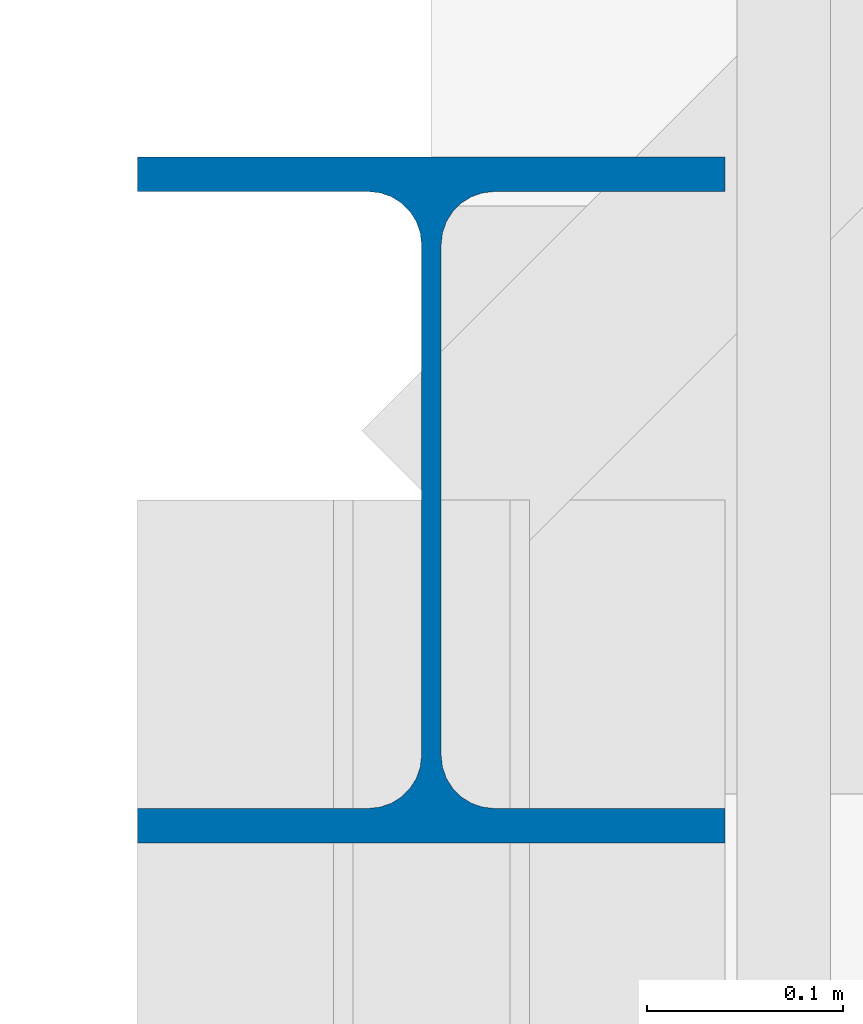
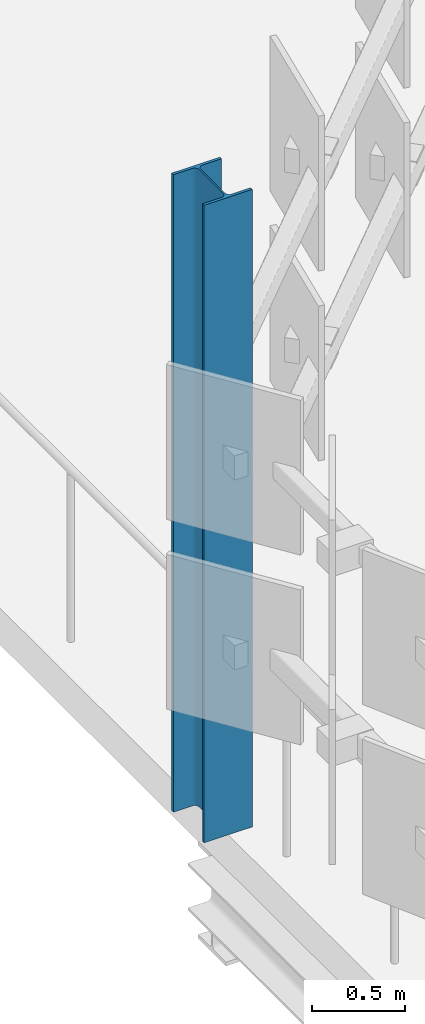
# One storey, part 13 of 163: 1 column.
"""IFC4 building model written with IfcOpenShell, lengths in metres."""

from ifc_helpers import new_model, si_unit, direction, frame, origin, origin_2d, place, context, subcontext, project, spatial, i_section, extrude, material, material_profile, profile_set, type_object, element, save


model = new_model("IFC4")

# Units and contexts
model_context = context("Model", 3, precision=1e-05, world=origin(), true_north=direction((0.0, 1.0)))
body_context = subcontext(model_context, "Body", "Model", "MODEL_VIEW")
ifc_project = project(units=[si_unit("LENGTHUNIT", "METRE"), si_unit("AREAUNIT", "SQUARE_METRE"), si_unit("VOLUMEUNIT", "CUBIC_METRE"), si_unit("PLANEANGLEUNIT", "RADIAN"), si_unit("MASSUNIT", "GRAM", prefix="KILO")], contexts=[model_context])

# Site, building, storey
site_placement = place(None, origin())
site = spatial("IfcSite", under=ifc_project, at=site_placement, CompositionType="ELEMENT")
building_placement = place(site_placement, origin())
building = spatial("IfcBuilding", under=site, at=building_placement, Name="Qalvenar Corner Mobility Hub", CompositionType="ELEMENT")
storey_placement = place(building_placement, frame((0.0, 0.0, 4.800048828125)))
storey = spatial("IfcBuildingStorey", under=building, at=storey_placement, Name="L01", CompositionType="ELEMENT", Elevation=4.800048828125)

# Column
ifc_material = material(Name="Steel S355", Category="steel")
ifc_material_profile = material_profile(ifc_material, i_section(OverallWidth=0.300048828125, OverallDepth=0.35009765625, WebThickness=0.010009765625, FlangeThickness=0.017578125, FilletRadius=0.027099609375, at=origin_2d()), Name="HEA360")
ifc_profile_set = profile_set([ifc_material_profile], Name="Steel S355")
column_type = type_object("IfcColumnType", Name="COL-HEA360", PredefinedType="COLUMN", material=ifc_profile_set)
column_placement = place(storey_placement, frame((58.800048828125, 109.199951171875, 0.0), z_axis=(0.0, 0.0, 1.0), x_axis=(1.0, 0.0, 0.0)))
element("IfcColumn", 1, at=column_placement, inside=storey, type_object=column_type, Name="Steel Column L01-G8-13", PredefinedType="COLUMN", context=body_context, shape_type="SweptSolid", body=[
    extrude(i_section(OverallWidth=0.300048828125, OverallDepth=0.35009765625, WebThickness=0.010009765625, FlangeThickness=0.017578125, FilletRadius=0.027099609375, at=origin_2d()), origin(), (0.0, 0.0, 1.0), 4.199951171875),
])

save(model, "model.ifc")
